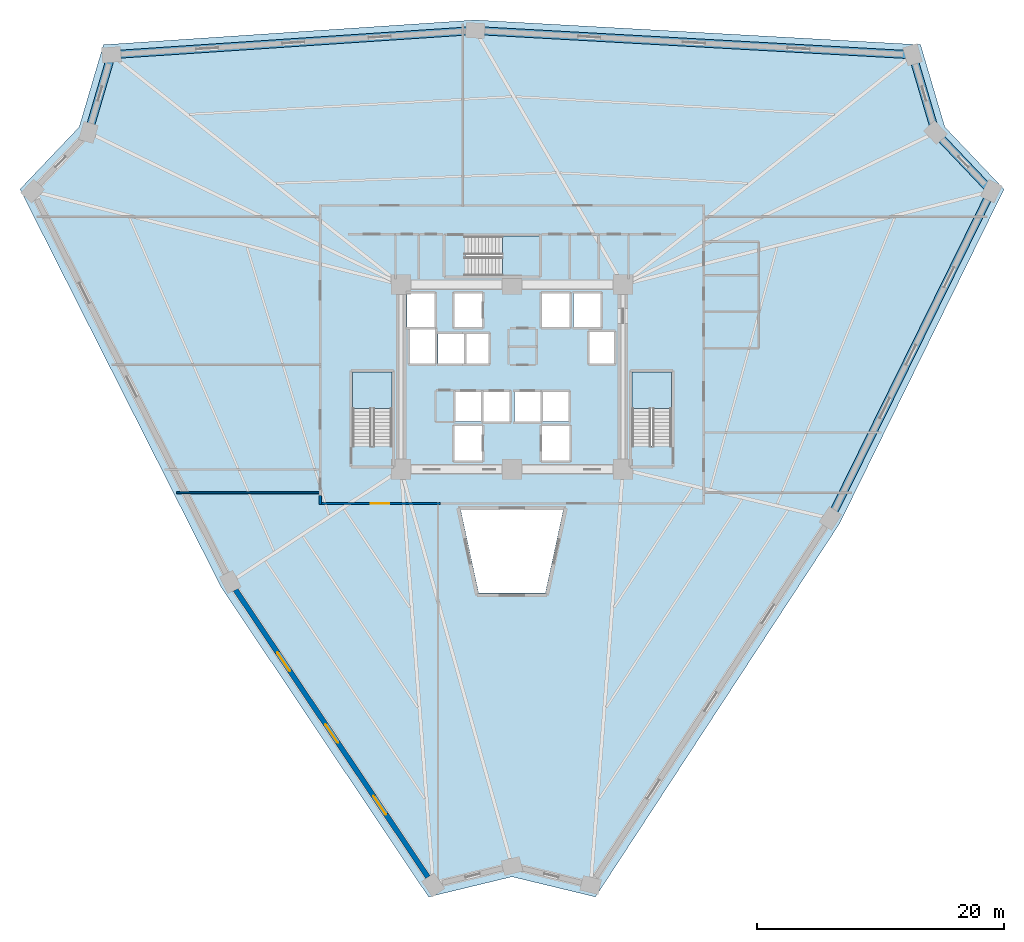
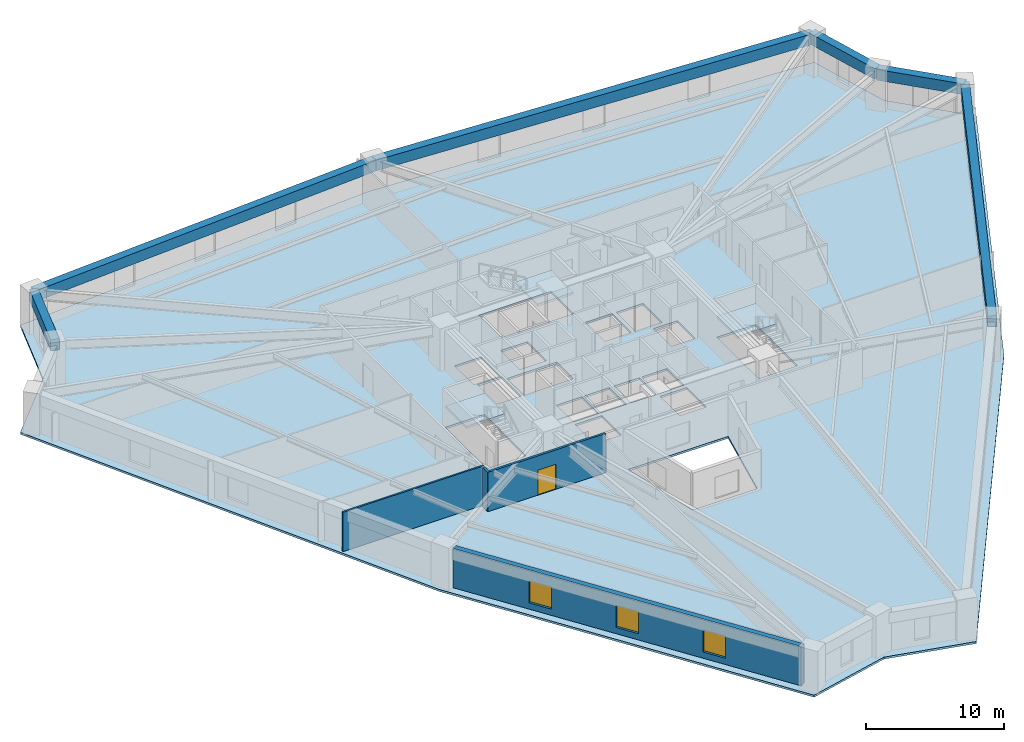
# One storey, part 2 of 8: 6 beams, 4 slabs, 4 walls, 3 windows, 1 door, 4 openings, 3 elements without a shape of their own.
"""IFC4 building model written with IfcOpenShell, lengths in metres."""

from ifc_helpers import new_model, si_unit, direction, frame, frame_2d, origin, origin_2d, place, context, subcontext, project, spatial, polyline, rectangle, outline, extrude, source, transform, mapped, material, layer, layer_set, material_profile, profile_set, type_object, element, fill, aggregate, save


model = new_model("IFC4")

# Units and contexts
model_context = context("Model", 3, precision=1e-05, world=origin(), true_north=direction((0.0, 1.0)))
body_context = subcontext(model_context, "Body", "Model", "MODEL_VIEW")
ifc_project = project(units=[si_unit("LENGTHUNIT", "METRE"), si_unit("AREAUNIT", "SQUARE_METRE"), si_unit("VOLUMEUNIT", "CUBIC_METRE"), si_unit("PLANEANGLEUNIT", "RADIAN"), si_unit("MASSUNIT", "GRAM", prefix="KILO")], contexts=[model_context])

# Site, building, storey
site_placement = place(None, origin())
site = spatial("IfcSite", under=ifc_project, at=site_placement, CompositionType="ELEMENT")
building_placement = place(site_placement, origin())
building = spatial("IfcBuilding", under=site, at=building_placement, Name="Liaohun Quay Tower", CompositionType="ELEMENT")
storey_placement = place(building_placement, frame((0.0, 0.0, 43.5)))
storey = spatial("IfcBuildingStorey", under=building, at=storey_placement, Name="L11", CompositionType="ELEMENT", Elevation=43.5)

# Beams
ifc_material_1 = material(Name="Precast concrete C55", Category="concrete")
ifc_material_profile = material_profile(ifc_material_1, rectangle(XDim=0.64990234375, YDim=0.949951171875, at=origin_2d()), Name="RC650x950")
ifc_profile_set = profile_set([ifc_material_profile], Name="Precast concrete C55")
beam_type = type_object("IfcBeamType", Name="BM-SPD-Z1", PredefinedType="SPANDREL", material=ifc_profile_set)
shared_shape_1 = source(origin(), body_context, "Body", "SweptSolid", [
    extrude(rectangle(XDim=0.64990234375, YDim=0.949951171875, at=origin_2d()), origin(), (0.0, 0.0, 1.0), 6.5703125),
])
beam_1_placement = place(storey_placement, frame((92.501953125, 80.139892578125, 2.9951171875), z_axis=(0.282814049913, -0.959174756325, 0.0), x_axis=(0.959174756325, 0.282814049913, 0.0)))
element("IfcBeam", 1, at=beam_1_placement, inside=storey, type_object=beam_type, Name="L11 Precast Spandrel Beam PC07-PC08", PredefinedType="SPANDREL", context=body_context, shape_type="MappedRepresentation", body=[
    mapped(shared_shape_1, transform((0.0, 0.0, 0.0), x_axis=(1.0, 0.0, 0.0), y_axis=(0.0, 1.0, 0.0), z_axis=(0.0, 0.0, 1.0), scale=1.0)),
])
shared_shape_2 = source(origin(), body_context, "Body", "SweptSolid", [
    extrude(rectangle(XDim=0.64990234375, YDim=0.949951171875, at=origin_2d()), origin(), (0.0, 0.0, 1.0), 6.57666015625),
])
beam_2_placement = place(storey_placement, frame((25.639892578125, 73.837890625, 2.9951171875), z_axis=(0.282835522447, 0.959168424857, 0.0), x_axis=(-0.959168424857, 0.282835522447, 0.0)))
element("IfcBeam", 2, at=beam_2_placement, inside=storey, type_object=beam_type, Name="L11 Precast Spandrel Beam PC04-PC05", PredefinedType="SPANDREL", context=body_context, shape_type="MappedRepresentation", body=[
    mapped(shared_shape_2, transform((0.0, 0.0, 0.0), x_axis=(1.0, 0.0, 0.0), y_axis=(0.0, 1.0, 0.0), z_axis=(0.0, 0.0, 1.0), scale=1.0)),
])
shared_shape_3 = source(origin(), body_context, "Body", "SweptSolid", [
    extrude(rectangle(XDim=0.64990234375, YDim=0.949951171875, at=origin_2d()), origin(), (0.0, 0.0, 1.0), 29.58740234375),
])
for number, where, z_axis, x_axis, name in (
    (3, (27.5, 80.14599609375, 2.9951171875), (0.997791980197, 0.066416596224, 0.0), (-0.066416596224, 0.997791980197, 0.0), "L11 Precast Spandrel Beam PC05-PC06"),
    (4, (98.89404296875, 69.072998046875, 2.9951171875), (-0.44140505038, -0.897307963577, 0.0), (0.897307963577, -0.44140505038, 0.0), "L11 Precast Spandrel Beam PC09-PC10"),
):
    element("IfcBeam", number, at=place(storey_placement, frame(where, z_axis=z_axis, x_axis=x_axis)), inside=storey, type_object=beam_type, Name=name, PredefinedType="SPANDREL", context=body_context, shape_type="MappedRepresentation", body=[
        mapped(shared_shape_3, transform((0.0, 0.0, 0.0), x_axis=(1.0, 0.0, 0.0), y_axis=(0.0, 1.0, 0.0), z_axis=(0.0, 0.0, 1.0), scale=1.0)),
    ])
shared_shape_4 = source(origin(), body_context, "Body", "SweptSolid", [
    extrude(rectangle(XDim=0.64990234375, YDim=0.949951171875, at=origin_2d()), origin(), (0.0, 0.0, 1.0), 35.53466796875),
])
beam_3_placement = place(storey_placement, frame((57.02197265625, 82.111083984375, 2.9951171875), z_axis=(0.998460226363, -0.055472302738, 0.0), x_axis=(0.055472302738, 0.998460226363, 0.0)))
element("IfcBeam", 5, at=beam_3_placement, inside=storey, type_object=beam_type, Name="L11 Precast Spandrel Beam PC06-PC07", PredefinedType="SPANDREL", context=body_context, shape_type="MappedRepresentation", body=[
    mapped(shared_shape_4, transform((0.0, 0.0, 0.0), x_axis=(1.0, 0.0, 0.0), y_axis=(0.0, 1.0, 0.0), z_axis=(0.0, 0.0, 1.0), scale=1.0)),
])
shared_shape_5 = source(origin(), body_context, "Body", "SweptSolid", [
    extrude(rectangle(XDim=0.64990234375, YDim=0.949951171875, at=origin_2d()), origin(), (0.0, 0.0, 1.0), 6.577392578125),
])
beam_4_placement = place(storey_placement, frame((94.360107421875, 73.837890625, 2.9951171875), z_axis=(0.68933162792, -0.724445930866, 0.0), x_axis=(0.724445930866, 0.68933162792, 0.0)))
element("IfcBeam", 6, at=beam_4_placement, inside=storey, type_object=beam_type, Name="L11 Precast Spandrel Beam PC08-PC09", PredefinedType="SPANDREL", context=body_context, shape_type="MappedRepresentation", body=[
    mapped(shared_shape_5, transform((0.0, 0.0, 0.0), x_axis=(1.0, 0.0, 0.0), y_axis=(0.0, 1.0, 0.0), z_axis=(0.0, 0.0, 1.0), scale=1.0)),
])

# Stair, slab
ifc_material_2 = material(Name="Concrete C45", Category="concrete")
stair_type = type_object("IfcStairType", Name="STR-CORE-OFF", PredefinedType="HALF_TURN_STAIR", material=ifc_material_2)
stair_1_placement = place(storey_placement, origin())
stair_1 = element("IfcStair", 7, at=stair_1_placement, inside=storey, type_object=stair_type, Name="L11 Smokeproof Core Exit Stair ST-1", PredefinedType="HALF_TURN_STAIR")
ifc_layer_1 = layer(ifc_material_2, 0.199951171875, Name="Concrete C45", Category="concrete")
ifc_layer_set_1 = layer_set([ifc_layer_1], Name="Concrete C45")
slab_type_1 = type_object("IfcSlabType", Name="SLB-LND-200", PredefinedType="LANDING", material=ifc_layer_set_1)
slab_1_placement = place(storey_placement, frame((0.0, 0.0, 1.675048828125)))
slab_1 = element("IfcSlab", 8, at=slab_1_placement, type_object=slab_type_1, Name="ST-1 landing 1", PredefinedType="LANDING", context=body_context, shape_type="SweptSolid", body=[
    extrude(outline(polyline([(50.280029296875, 51.429931640625), (50.280029296875, 54.419921875), (47.0400390625, 54.419921875), (47.0400390625, 51.429931640625), (50.280029296875, 51.429931640625)])), origin(), (0.0, 0.0, 1.0), 0.199951171875),
])
aggregate(stair_1, [slab_1])

stair_2_placement = place(storey_placement, origin())
stair_2 = element("IfcStair", 9, at=stair_2_placement, inside=storey, type_object=stair_type, Name="L11 Smokeproof Core Exit Stair ST-2", PredefinedType="HALF_TURN_STAIR")
slab_2_placement = place(storey_placement, frame((0.0, 0.0, 1.675048828125)))
slab_2 = element("IfcSlab", 10, at=slab_2_placement, type_object=slab_type_1, Name="ST-2 landing 1", PredefinedType="LANDING", context=body_context, shape_type="SweptSolid", body=[
    extrude(outline(polyline([(72.9599609375, 51.429931640625), (72.9599609375, 54.419921875), (69.719970703125, 54.419921875), (69.719970703125, 51.429931640625), (72.9599609375, 51.429931640625)])), origin(), (0.0, 0.0, 1.0), 0.199951171875),
])
aggregate(stair_2, [slab_2])

stair_3_placement = place(storey_placement, origin())
stair_3 = element("IfcStair", 11, at=stair_3_placement, inside=storey, type_object=stair_type, Name="L11 Smokeproof Core Exit Stair ST-3", PredefinedType="HALF_TURN_STAIR")
slab_3_placement = place(storey_placement, frame((0.0, 0.0, 1.675048828125)))
slab_3 = element("IfcSlab", 12, at=slab_3_placement, type_object=slab_type_1, Name="ST-3 landing 1", PredefinedType="LANDING", context=body_context, shape_type="SweptSolid", body=[
    extrude(outline(polyline([(59.22998046875, 62.199951171875), (62.219970703125, 62.199951171875), (62.219970703125, 65.43994140625), (59.22998046875, 65.43994140625), (59.22998046875, 62.199951171875)])), origin(), (0.0, 0.0, 1.0), 0.199951171875),
])
aggregate(stair_3, [slab_3])

# Slab
ifc_layer_2 = layer(ifc_material_2, 0.179931640625, Name="Concrete C45", Category="concrete")
ifc_layer_set_2 = layer_set([ifc_layer_2], Name="Concrete C45")
slab_type_2 = type_object("IfcSlabType", Name="SLB-OFF-180", PredefinedType="FLOOR", material=ifc_layer_set_2)
slab_4_placement = place(storey_placement, frame((0.0, 0.0, -0.179931640625)))
element("IfcSlab", 13, at=slab_4_placement, inside=storey, type_object=slab_type_2, Name="L11 Structural Floor Slab", PredefinedType="FLOOR", context=body_context, shape_type="SweptSolid", body=[
    extrude(outline(polyline([(53.22998046875, 11.81494140625), (60.0, 13.449951171875), (66.77001953125, 11.81494140625), (86.573974609375, 42.10205078125), (99.91796875, 69.22998046875), (95.116943359375, 74.27490234375), (93.14794921875, 80.955078125), (57.01708984375, 82.962890625), (26.85205078125, 80.955078125), (24.883056640625, 74.27490234375), (20.08203125, 69.22998046875), (36.408935546875, 36.93505859375), (53.22998046875, 11.81494140625)]), holes=[polyline([(57.56005859375, 47.2099609375), (57.56005859375, 50.030029296875), (55.340087890625, 50.030029296875), (55.340087890625, 47.2099609375), (57.56005859375, 47.2099609375)]), polyline([(50.280029296875, 54.419921875), (47.0400390625, 54.419921875), (47.0400390625, 48.409912109375), (50.280029296875, 48.409912109375), (50.280029296875, 54.419921875)]), polyline([(57.510009765625, 50.389892578125), (57.510009765625, 52.81005859375), (55.389892578125, 52.81005859375), (55.389892578125, 50.389892578125), (57.510009765625, 50.389892578125)]), polyline([(59.81005859375, 50.389892578125), (59.81005859375, 52.81005859375), (57.68994140625, 52.81005859375), (57.68994140625, 50.389892578125), (59.81005859375, 50.389892578125)]), polyline([(58.110107421875, 57.510009765625), (53.989990234375, 57.510009765625), (53.989990234375, 55.090087890625), (58.110107421875, 55.090087890625), (58.110107421875, 57.510009765625)]), polyline([(53.760009765625, 55.090087890625), (53.760009765625, 57.909912109375), (51.7099609375, 57.909912109375), (51.7099609375, 55.090087890625), (53.760009765625, 55.090087890625)]), polyline([(51.489990234375, 58.0400390625), (53.7099609375, 58.0400390625), (53.7099609375, 60.7900390625), (51.489990234375, 60.7900390625), (51.489990234375, 58.0400390625)]), polyline([(55.340087890625, 58.0400390625), (57.56005859375, 58.0400390625), (57.56005859375, 60.7900390625), (55.340087890625, 60.7900390625), (55.340087890625, 58.0400390625)]), polyline([(62.705078125, 36.4609375), (64.162109375, 43.199951171875), (55.837890625, 43.199951171875), (57.294921875, 36.4609375), (62.705078125, 36.4609375)]), polyline([(64.659912109375, 47.2099609375), (64.659912109375, 50.030029296875), (62.43994140625, 50.030029296875), (62.43994140625, 47.2099609375), (64.659912109375, 47.2099609375)]), polyline([(72.9599609375, 54.419921875), (69.719970703125, 54.419921875), (69.719970703125, 48.409912109375), (72.9599609375, 48.409912109375), (72.9599609375, 54.419921875)]), polyline([(62.31005859375, 50.389892578125), (62.31005859375, 52.81005859375), (60.18994140625, 52.81005859375), (60.18994140625, 50.389892578125), (62.31005859375, 50.389892578125)]), polyline([(64.610107421875, 50.389892578125), (64.610107421875, 52.81005859375), (62.489990234375, 52.81005859375), (62.489990234375, 50.389892578125), (64.610107421875, 50.389892578125)]), polyline([(68.2900390625, 55.090087890625), (68.2900390625, 57.659912109375), (66.2900390625, 57.659912109375), (66.2900390625, 55.090087890625), (68.2900390625, 55.090087890625)]), polyline([(64.659912109375, 58.0400390625), (64.659912109375, 60.7900390625), (62.43994140625, 60.7900390625), (62.43994140625, 58.0400390625), (64.659912109375, 58.0400390625)]), polyline([(64.989990234375, 58.0400390625), (67.2099609375, 58.0400390625), (67.2099609375, 60.7900390625), (64.989990234375, 60.7900390625), (64.989990234375, 58.0400390625)]), polyline([(56.2099609375, 62.199951171875), (62.219970703125, 62.199951171875), (62.219970703125, 65.43994140625), (56.2099609375, 65.43994140625), (56.2099609375, 62.199951171875)])]), origin(), (0.0, 0.0, 1.0), 0.179931640625),
])

# Wall, openings, windows
ifc_material_3 = material(Name="Precast concrete C50 insulated sandwich", Category="concrete")
ifc_layer_3 = layer(ifc_material_3, 0.419921875, Name="Precast concrete C50 insulated sandwich", Category="concrete")
ifc_layer_set_3 = layer_set([ifc_layer_3], Name="Precast concrete C50 insulated sandwich")
wall_type_1 = type_object("IfcWallType", Name="WAL-EXT-Z12", PredefinedType="SOLIDWALL", material=ifc_layer_set_3)
wall_1_placement = place(storey_placement, frame((37.570068359375, 36.72900390625, 0.0), z_axis=(0.0, 0.0, 1.0), x_axis=(0.556397860577, -0.830916013051, 0.0)))
wall_1 = element("IfcWall", 14, at=wall_1_placement, inside=storey, type_object=wall_type_1, Name="L11 Brutalist Precast Pier Wall 11", PredefinedType="SOLIDWALL", context=body_context, shape_type="SweptSolid", body=[
    extrude(rectangle(XDim=28.056884765625, YDim=0.419921875, at=frame_2d((14.0283203125, 0.0))), origin(), (0.0, 0.0, 1.0), 3.469970703125),
])
shared_shape_6 = source(origin(), body_context, "Body", "SweptSolid", [
    extrude(rectangle(XDim=1.800048828125, YDim=1.949951171875, at=frame_2d((0.89990234375, 0.97509765625))), frame((0.0, 0.219970703125, 0.0), z_axis=(0.0, -1.0, 0.0), x_axis=(1.0, 0.0, 0.0)), (0.0, 0.0, 1.0), 0.43994140625),
])
opening_1_placement = place(wall_1_placement, frame((6.114013671875, 0.0, 0.550048828125)))
opening_1 = element("IfcOpeningElement", 15, at=opening_1_placement, cuts=wall_1, Name="Opening W01", PredefinedType="OPENING", context=body_context, shape_type="MappedRepresentation", body=[
    mapped(shared_shape_6, transform((0.0, 0.0, 0.0), x_axis=(1.0, 0.0, 0.0), y_axis=(0.0, 1.0, 0.0), z_axis=(0.0, 0.0, 1.0), scale=1.0)),
])
opening_2_placement = place(wall_1_placement, frame((13.12890625, 0.0, 0.550048828125)))
opening_2 = element("IfcOpeningElement", 16, at=opening_2_placement, cuts=wall_1, Name="Opening W01", PredefinedType="OPENING", context=body_context, shape_type="MappedRepresentation", body=[
    mapped(shared_shape_6, transform((0.0, 0.0, 0.0), x_axis=(1.0, 0.0, 0.0), y_axis=(0.0, 1.0, 0.0), z_axis=(0.0, 0.0, 1.0), scale=1.0)),
])
opening_3_placement = place(wall_1_placement, frame((20.14306640625, 0.0, 0.550048828125)))
opening_3 = element("IfcOpeningElement", 17, at=opening_3_placement, cuts=wall_1, Name="Opening W01", PredefinedType="OPENING", context=body_context, shape_type="MappedRepresentation", body=[
    mapped(shared_shape_6, transform((0.0, 0.0, 0.0), x_axis=(1.0, 0.0, 0.0), y_axis=(0.0, 1.0, 0.0), z_axis=(0.0, 0.0, 1.0), scale=1.0)),
])
ifc_material_4 = material(Name="Triple Low-E argon glazing in thermally broken aluminium", Category="aluminium")
window_type = type_object("IfcWindowType", Name="WIN-PUN-Z1", PartitioningType="DOUBLE_PANEL_VERTICAL", PredefinedType="WINDOW", material=ifc_material_4)
shared_shape_7 = source(origin(), body_context, "Body", "SweptSolid", [
    extrude(rectangle(XDim=1.800048828125, YDim=1.949951171875, at=frame_2d((0.89990234375, 0.97509765625))), frame((0.0, 0.030029296875, 0.0), z_axis=(0.0, -1.0, 0.0), x_axis=(1.0, 0.0, 0.0)), (0.0, 0.0, 1.0), 0.06005859375),
])
window_1_placement = place(opening_1_placement, origin())
window_1 = element("IfcWindow", 18, at=window_1_placement, inside=storey, type_object=window_type, Name="L11 Recessed Cold-Climate Punched Window 11-1", OverallHeight=1.949951171875, OverallWidth=1.800048828125, PartitioningType="DOUBLE_PANEL_VERTICAL", PredefinedType="WINDOW", context=body_context, shape_type="MappedRepresentation", body=[
    mapped(shared_shape_7, transform((0.0, 0.0, 0.0), x_axis=(1.0, 0.0, 0.0), y_axis=(0.0, 1.0, 0.0), z_axis=(0.0, 0.0, 1.0), scale=1.0)),
])
fill(opening_1, window_1)
window_2_placement = place(opening_2_placement, origin())
window_2 = element("IfcWindow", 19, at=window_2_placement, inside=storey, type_object=window_type, Name="L11 Recessed Cold-Climate Punched Window 11-2", OverallHeight=1.949951171875, OverallWidth=1.800048828125, PartitioningType="DOUBLE_PANEL_VERTICAL", PredefinedType="WINDOW", context=body_context, shape_type="MappedRepresentation", body=[
    mapped(shared_shape_7, transform((0.0, 0.0, 0.0), x_axis=(1.0, 0.0, 0.0), y_axis=(0.0, 1.0, 0.0), z_axis=(0.0, 0.0, 1.0), scale=1.0)),
])
fill(opening_2, window_2)
window_3_placement = place(opening_3_placement, origin())
window_3 = element("IfcWindow", 20, at=window_3_placement, inside=storey, type_object=window_type, Name="L11 Recessed Cold-Climate Punched Window 11-3", OverallHeight=1.949951171875, OverallWidth=1.800048828125, PartitioningType="DOUBLE_PANEL_VERTICAL", PredefinedType="WINDOW", context=body_context, shape_type="MappedRepresentation", body=[
    mapped(shared_shape_7, transform((0.0, 0.0, 0.0), x_axis=(1.0, 0.0, 0.0), y_axis=(0.0, 1.0, 0.0), z_axis=(0.0, 0.0, 1.0), scale=1.0)),
])
fill(opening_3, window_3)

# Wall, opening, door
ifc_material_5 = material(Name="Autoclaved aerated concrete blockwork", Category="masonry")
ifc_layer_4 = layer(ifc_material_5, 0.179931640625, Name="Autoclaved aerated concrete blockwork", Category="masonry")
ifc_layer_set_4 = layer_set([ifc_layer_4], Name="Autoclaved aerated concrete blockwork")
wall_type_2 = type_object("IfcWallType", Name="WAL-PRT-COR", PredefinedType="PARTITIONING", material=ifc_layer_set_4)
wall_2_placement = place(storey_placement, frame((54.215087890625, 43.739990234375, 0.0), z_axis=(0.0, 0.0, 1.0), x_axis=(-1.0, 0.0, 0.0)))
wall_2 = element("IfcWall", 21, at=wall_2_placement, inside=storey, type_object=wall_type_2, Name="L11 Interior Partition Wall 020", PredefinedType="PARTITIONING", context=body_context, shape_type="SweptSolid", body=[
    extrude(rectangle(XDim=9.844970703125, YDim=0.179931640625, at=frame_2d((4.92236328125, 0.0))), origin(), (0.0, 0.0, 1.0), 3.469970703125),
])
shared_shape_8 = source(origin(), body_context, "Body", "SweptSolid", [
    extrude(rectangle(XDim=1.5, YDim=2.199951171875, at=frame_2d((0.75, 1.10009765625))), frame((0.0, 0.099853515625, 0.0), z_axis=(0.0, -1.0, 0.0), x_axis=(1.0, 0.0, 0.0)), (0.0, 0.0, 1.0), 0.199951171875),
])
opening_4_placement = place(wall_2_placement, frame((4.173095703125, 0.0, 0.0)))
opening_4 = element("IfcOpeningElement", 22, at=opening_4_placement, cuts=wall_2, Name="Opening OD2", PredefinedType="OPENING", context=body_context, shape_type="MappedRepresentation", body=[
    mapped(shared_shape_8, transform((0.0, 0.0, 0.0), x_axis=(1.0, 0.0, 0.0), y_axis=(0.0, 1.0, 0.0), z_axis=(0.0, 0.0, 1.0), scale=1.0)),
])
ifc_material_6 = material(Name="Acoustic oak veneer double door")
door_type = type_object("IfcDoorType", Name="DOR-OFF-1500", OperationType="DOUBLE_DOOR_SINGLE_SWING", PredefinedType="DOOR", material=ifc_material_6)
shared_shape_9 = source(origin(), body_context, "Body", "SweptSolid", [
    extrude(rectangle(XDim=1.5, YDim=2.199951171875, at=frame_2d((0.75, 1.10009765625))), frame((0.0, 0.02490234375, 0.0), z_axis=(0.0, -1.0, 0.0), x_axis=(1.0, 0.0, 0.0)), (0.0, 0.0, 1.0), 0.050048828125),
])
door_placement = place(opening_4_placement, origin())
door = element("IfcDoor", 23, at=door_placement, inside=storey, type_object=door_type, Name="L11 Architectural Design Studio 07 Door", OperationType="DOUBLE_DOOR_SINGLE_SWING", OverallHeight=2.199951171875, OverallWidth=1.5, PredefinedType="DOOR", context=body_context, shape_type="MappedRepresentation", body=[
    mapped(shared_shape_9, transform((0.0, 0.0, 0.0), x_axis=(1.0, 0.0, 0.0), y_axis=(0.0, 1.0, 0.0), z_axis=(0.0, 0.0, 1.0), scale=1.0)),
])
fill(opening_4, door)

# Walls
wall_3_placement = place(storey_placement, frame((44.43994140625, 43.669921875, 0.0), z_axis=(0.0, 0.0, 1.0), x_axis=(0.0, 1.0, 0.0)))
element("IfcWall", 24, at=wall_3_placement, inside=storey, type_object=wall_type_2, Name="L11 Interior Partition Wall 041", PredefinedType="PARTITIONING", context=body_context, shape_type="SweptSolid", body=[
    extrude(rectangle(XDim=0.715087890625, YDim=0.179931640625, at=frame_2d((0.357421875, 0.0))), origin(), (0.0, 0.0, 1.0), 3.469970703125),
])
ifc_material_7 = material(Name="Gypsum board on twin steel studs", Category="steel")
ifc_layer_5 = layer(ifc_material_7, 0.139892578125, Name="Gypsum board on twin steel studs", Category="steel")
ifc_layer_set_5 = layer_set([ifc_layer_5], Name="Gypsum board on twin steel studs")
wall_type_3 = type_object("IfcWallType", Name="WAL-PRT-OFF", PredefinedType="PARTITIONING", material=ifc_layer_set_5)
wall_4_placement = place(storey_placement, frame((44.5400390625, 44.60009765625, 0.0), z_axis=(0.0, 0.0, 1.0), x_axis=(-1.0, 0.0, 0.0)))
element("IfcWall", 25, at=wall_4_placement, inside=storey, type_object=wall_type_3, Name="L11 Interior Partition Wall 043", PredefinedType="PARTITIONING", context=body_context, shape_type="SweptSolid", body=[
    extrude(rectangle(XDim=11.760009765625, YDim=0.139892578125, at=frame_2d((5.8798828125, 0.0))), origin(), (0.0, 0.0, 1.0), 3.469970703125),
])

save(model, "model.ifc")
